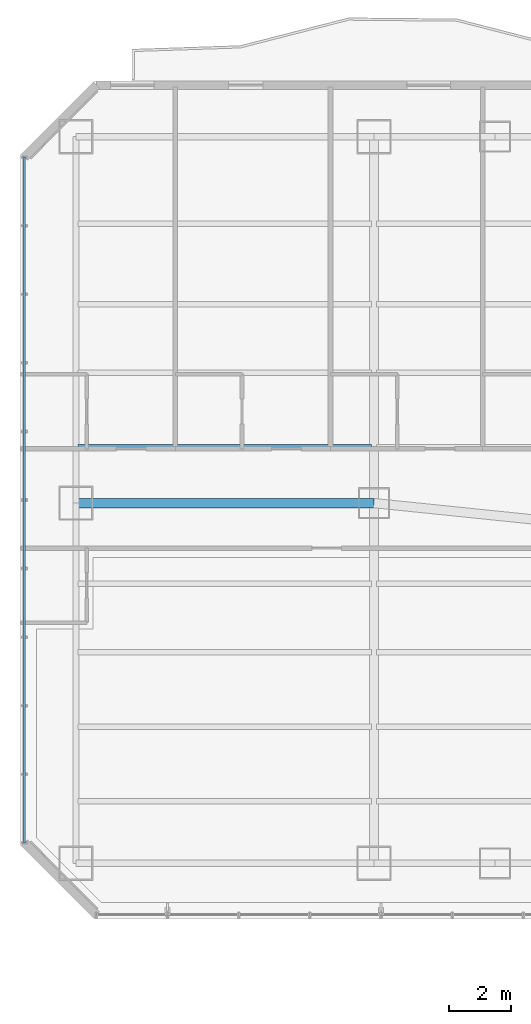
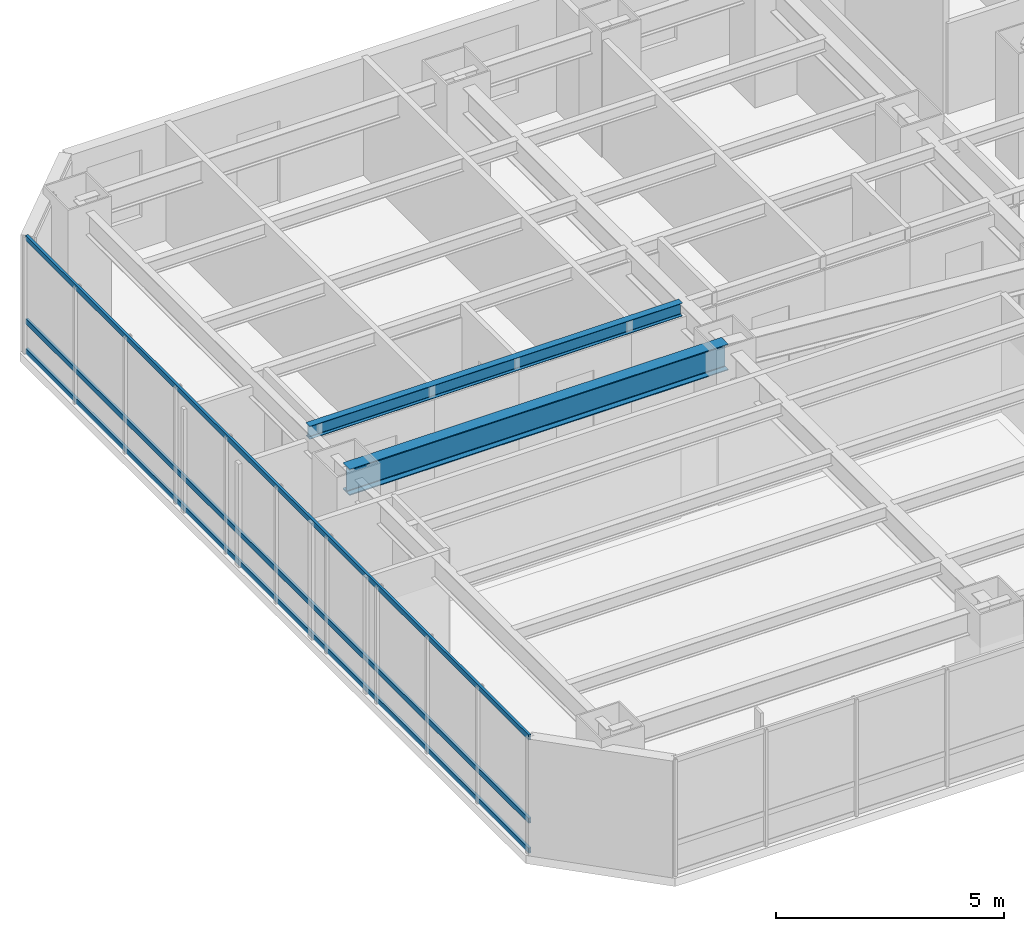
# One storey, part 13 of 33: 3 members, 2 beams, 1 element without a shape of its own.
"""IFC4 building model written with IfcOpenShell, lengths in metres."""

from ifc_helpers import new_model, si_unit, direction, frame, origin, origin_2d, place, context, subcontext, project, spatial, hollow_rectangle, i_section, extrude, material, layer, layer_set, material_profile, profile_set, type_object, element, aggregate, save


model = new_model("IFC4")

# Units and contexts
model_context = context("Model", 3, precision=1e-05, world=origin(), true_north=direction((0.0, 1.0)))
body_context = subcontext(model_context, "Body", "Model", "MODEL_VIEW")
ifc_project = project(units=[si_unit("LENGTHUNIT", "METRE"), si_unit("AREAUNIT", "SQUARE_METRE"), si_unit("VOLUMEUNIT", "CUBIC_METRE"), si_unit("PLANEANGLEUNIT", "RADIAN"), si_unit("MASSUNIT", "GRAM", prefix="KILO")], contexts=[model_context])

# Site, building, storey
site_placement = place(None, origin())
site = spatial("IfcSite", under=ifc_project, at=site_placement, CompositionType="ELEMENT")
building_placement = place(site_placement, origin())
building = spatial("IfcBuilding", under=site, at=building_placement, Name="Hatsunagi Terrace Concourse", CompositionType="ELEMENT")
storey_placement = place(building_placement, frame((0.0, 0.0, 56.699951171875)))
storey = spatial("IfcBuildingStorey", under=building, at=storey_placement, Name="L14", CompositionType="ELEMENT", Elevation=56.699951171875)

# Curtain wall, members
ifc_material_1 = material(Name="Anodised Aluminium Alloy 6063-T5", Category="aluminium")
ifc_layer = layer(ifc_material_1, 0.199951171875)
ifc_layer_set = layer_set([ifc_layer], Name="HotelFacade_CW02")
curtain_wall_type = type_object("IfcCurtainWallType", Name="HotelFacade_CW02", PredefinedType="NOTDEFINED", material=ifc_layer_set)
curtain_wall_placement = place(storey_placement, origin())
curtain_wall = element("IfcCurtainWall", 1, at=curtain_wall_placement, inside=storey, type_object=curtain_wall_type, Name="Unitised Curtain Wall CW-02 CW-L14-09", PredefinedType="NOTDEFINED")
ifc_material_2 = material(Name="Anodised Aluminium Alloy 6063-T5", Category="aluminium")
ifc_material_profile_1 = material_profile(ifc_material_2, hollow_rectangle(XDim=0.06494140625, YDim=0.139892578125, WallThickness=0.00390625, at=origin_2d()), Name="ALU-TRN-140x65x4")
ifc_profile_set_1 = profile_set([ifc_material_profile_1], Name="Anodised Aluminium Alloy 6063-T5")
member_type = type_object("IfcMemberType", Name="CurtainWallTransom_140x65", PredefinedType="USERDEFINED", material=ifc_profile_set_1)
member_1_placement = place(storey_placement, frame((0.139892578125, 25.85791015625, 0.050048828125), z_axis=(0.0, 1.0, 0.0), x_axis=(-1.0, 0.0, 0.0)))
member_1 = element("IfcMember", 2, at=member_1_placement, type_object=member_type, Name="Curtain Wall Transom TRN-02", ObjectType="TRANSOM", PredefinedType="USERDEFINED", context=body_context, shape_type="SweptSolid", body=[
    extrude(hollow_rectangle(XDim=0.06494140625, YDim=0.139892578125, WallThickness=0.00390625, at=origin_2d()), origin(), (0.0, 0.0, 1.0), 22.083984375),
])
member_2_placement = place(storey_placement, frame((0.139892578125, 25.85791015625, 0.85009765625), z_axis=(0.0, 1.0, 0.0), x_axis=(-1.0, 0.0, 0.0)))
member_2 = element("IfcMember", 3, at=member_2_placement, type_object=member_type, Name="Curtain Wall Transom TRN-02", ObjectType="TRANSOM", PredefinedType="USERDEFINED", context=body_context, shape_type="SweptSolid", body=[
    extrude(hollow_rectangle(XDim=0.06494140625, YDim=0.139892578125, WallThickness=0.00390625, at=origin_2d()), origin(), (0.0, 0.0, 1.0), 22.083984375),
])
member_3_placement = place(storey_placement, frame((0.139892578125, 25.85791015625, 3.080078125), z_axis=(0.0, 1.0, 0.0), x_axis=(-1.0, 0.0, 0.0)))
member_3 = element("IfcMember", 4, at=member_3_placement, type_object=member_type, Name="Curtain Wall Transom TRN-02", ObjectType="TRANSOM", PredefinedType="USERDEFINED", context=body_context, shape_type="SweptSolid", body=[
    extrude(hollow_rectangle(XDim=0.06494140625, YDim=0.139892578125, WallThickness=0.00390625, at=origin_2d()), origin(), (0.0, 0.0, 1.0), 22.083984375),
])
aggregate(curtain_wall, [member_1, member_2, member_3])

# Beams
ifc_material_3 = material(Name="Steel SN490B", Category="steel")
ifc_material_profile_2 = material_profile(ifc_material_3, i_section(OverallWidth=0.300048828125, OverallDepth=0.699951171875, WebThickness=0.012939453125, FlangeThickness=0.02392578125, FilletRadius=0.02197265625, at=origin_2d()), Name="H-700x300x13x24")
ifc_profile_set_2 = profile_set([ifc_material_profile_2], Name="Steel SN490B")
beam_type_1 = type_object("IfcBeamType", Name="HotelFloorGirder_H_700x300", PredefinedType="BEAM", material=ifc_profile_set_2)
beam_1_placement = place(storey_placement, frame((1.800048828125, 36.800048828125, 2.780029296875), z_axis=(1.0, 0.0, 0.0), x_axis=(0.0, 1.0, 0.0)))
element("IfcBeam", 5, at=beam_1_placement, inside=storey, type_object=beam_type_1, Name="Beam G-04 BM-L14-EW-1", PredefinedType="BEAM", context=body_context, shape_type="SweptSolid", body=[
    extrude(i_section(OverallWidth=0.300048828125, OverallDepth=0.699951171875, WebThickness=0.012939453125, FlangeThickness=0.02392578125, FilletRadius=0.02197265625, at=origin_2d()), origin(), (0.0, 0.0, 1.0), 9.599853515625),
])
ifc_material_4 = material(Name="Steel SN490B", Category="steel")
ifc_material_profile_3 = material_profile(ifc_material_4, i_section(OverallWidth=0.175048828125, OverallDepth=0.35009765625, WebThickness=0.007080078125, FlangeThickness=0.010986328125, FilletRadius=0.012939453125, at=origin_2d()), Name="H-350x175x7x11")
ifc_profile_set_3 = profile_set([ifc_material_profile_3], Name="Steel SN490B")
beam_type_2 = type_object("IfcBeamType", Name="HotelJoist_H_350x175", PredefinedType="JOIST", material=ifc_profile_set_3)
beam_2_placement = place(storey_placement, frame((1.864990234375, 38.60009765625, 2.955078125), z_axis=(1.0, 0.0, 0.0), x_axis=(0.0, 1.0, 0.0)))
element("IfcBeam", 6, at=beam_2_placement, inside=storey, type_object=beam_type_2, Name="Beam J-02 J-L14-W-1-386", PredefinedType="JOIST", context=body_context, shape_type="SweptSolid", body=[
    extrude(i_section(OverallWidth=0.175048828125, OverallDepth=0.35009765625, WebThickness=0.007080078125, FlangeThickness=0.010986328125, FilletRadius=0.012939453125, at=origin_2d()), origin(), (0.0, 0.0, 1.0), 9.449951171875),
])

save(model, "model.ifc")
